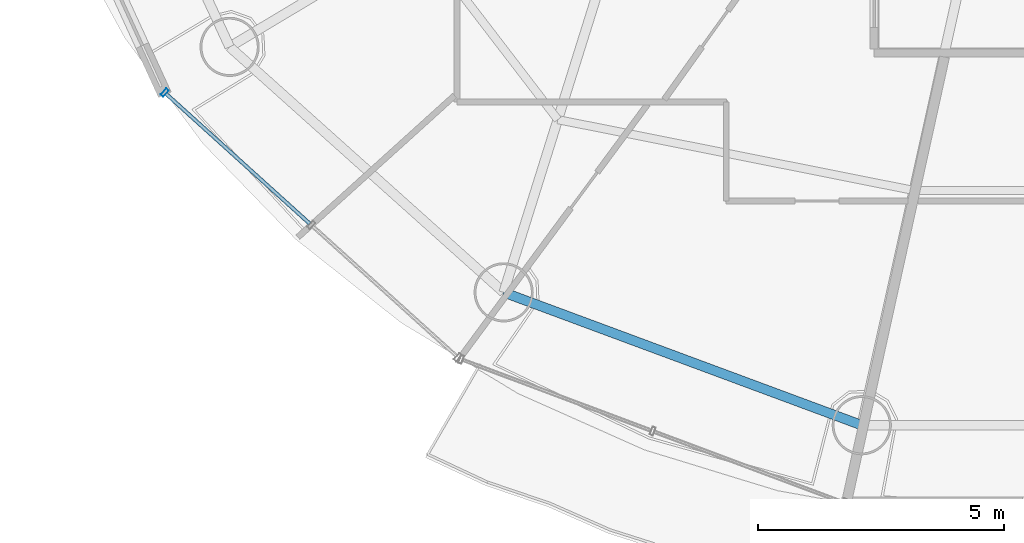
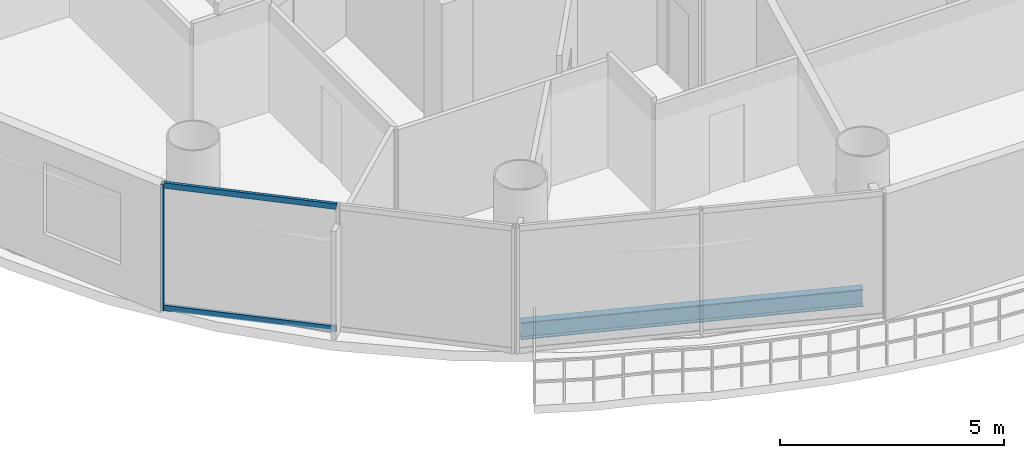
# One storey, part 3 of 26: 3 members, 1 beam, 1 element without a shape of its own.
"""IFC4 building model written with IfcOpenShell, lengths in metres."""

from ifc_helpers import new_model, si_unit, direction, frame, origin, origin_2d, place, context, subcontext, project, spatial, hollow_rectangle, i_section, extrude, source, transform, mapped, material, material_profile, profile_set, type_object, element, aggregate, save


model = new_model("IFC4")

# Units and contexts
model_context = context("Model", 3, precision=1e-05, world=origin(), true_north=direction((-0.2419218956, 0.970295726276)))
body_context = subcontext(model_context, "Body", "Model", "MODEL_VIEW")
ifc_project = project(units=[si_unit("LENGTHUNIT", "METRE"), si_unit("AREAUNIT", "SQUARE_METRE"), si_unit("VOLUMEUNIT", "CUBIC_METRE"), si_unit("PLANEANGLEUNIT", "RADIAN"), si_unit("MASSUNIT", "GRAM", prefix="KILO")], contexts=[model_context])

# Site, building, storey
site_placement = place(None, origin())
site = spatial("IfcSite", under=ifc_project, at=site_placement, CompositionType="ELEMENT")
building_placement = place(site_placement, origin())
building = spatial("IfcBuilding", under=site, at=building_placement, Name="Cobrevalo Terracotta Tower", CompositionType="ELEMENT")
storey_placement = place(building_placement, frame((0.0, 0.0, 235.60009765625)))
storey = spatial("IfcBuildingStorey", under=building, at=storey_placement, Name="L62", CompositionType="ELEMENT", Elevation=235.60009765625)

# Beam
ifc_material_1 = material(Name="Steel S355", Category="steel")
ifc_material_profile_1 = material_profile(ifc_material_1, i_section(OverallWidth=0.194091796875, OverallDepth=0.468994140625, WebThickness=0.011474609375, FlangeThickness=0.0205078125, at=origin_2d()), Name="W 460x106")
ifc_profile_set_1 = profile_set([ifc_material_profile_1], Name="Steel S355")
beam_type = type_object("IfcBeamType", Name="Structural Spandrel W 460x106 (Steel S355)", PredefinedType="SPANDREL", material=ifc_profile_set_1)
beam_placement = place(storey_placement, frame((26.80517578125, 11.7919921875, -0.49951171875), z_axis=(0.937545996665, -0.347861328892, 0.0), x_axis=(0.347861328892, 0.937545996665, 0.0)))
element("IfcBeam", 1, at=beam_placement, inside=storey, type_object=beam_type, Name="L62 perimeter ring spandrel 11", PredefinedType="SPANDREL", context=body_context, shape_type="SweptSolid", body=[
    extrude(i_section(OverallWidth=0.194091796875, OverallDepth=0.468994140625, WebThickness=0.011474609375, FlangeThickness=0.0205078125, at=origin_2d()), origin(), (0.0, 0.0, 1.0), 7.74755859375),
])

# Curtain wall, members
ifc_material_2 = material(Name="Anodized aluminium", Category="aluminium")
curtain_wall_type = type_object("IfcCurtainWallType", Name="Mid-tower high-wind unitised curtain wall CW-U2", PredefinedType="NOTDEFINED", material=ifc_material_2)
curtain_wall_placement = place(storey_placement, origin())
curtain_wall = element("IfcCurtainWall", 2, at=curtain_wall_placement, inside=storey, type_object=curtain_wall_type, Name="L62 curtain wall CW-L62-S10", PredefinedType="NOTDEFINED")
ifc_material_profile_2 = material_profile(ifc_material_2, hollow_rectangle(XDim=0.074951171875, YDim=0.14990234375, WallThickness=0.00439453125, at=origin_2d()), Name="CWT 75x150")
ifc_profile_set_2 = profile_set([ifc_material_profile_2], Name="Anodized aluminium")
member_type_1 = type_object("IfcMemberType", Name="Tower unitised aluminium transom 75x150", PredefinedType="USERDEFINED", material=ifc_profile_set_2)
shared_shape_1 = source(origin(), body_context, "Body", "SweptSolid", [
    extrude(hollow_rectangle(XDim=0.074951171875, YDim=0.14990234375, WallThickness=0.00439453125, at=origin_2d()), origin(), (0.0, 0.0, 1.0), 3.927490234375),
])
member_1_placement = place(storey_placement, frame((19.958251953125, 15.818359375, 0.0498046875), z_axis=(0.741975952623, -0.670426495396, 0.0), x_axis=(0.670426495396, 0.741975952623, 0.0)))
member_1 = element("IfcMember", 3, at=member_1_placement, type_object=member_type_1, Name="CW-L62-S10 transom B01-T1", ObjectType="TRANSOM", PredefinedType="USERDEFINED", context=body_context, shape_type="MappedRepresentation", body=[
    mapped(shared_shape_1, transform((0.0, 0.0, 0.0), scale=1.0)),
])
member_2_placement = place(storey_placement, frame((19.958251953125, 15.818359375, 3.385009765625), z_axis=(0.741975952623, -0.670426495396, 0.0), x_axis=(0.670426495396, 0.741975952623, 0.0)))
member_2 = element("IfcMember", 4, at=member_2_placement, type_object=member_type_1, Name="CW-L62-S10 transom B01-T2", ObjectType="TRANSOM", PredefinedType="USERDEFINED", context=body_context, shape_type="MappedRepresentation", body=[
    mapped(shared_shape_1, transform((0.0, 0.0, 0.0), scale=1.0)),
])
ifc_material_profile_3 = material_profile(ifc_material_2, hollow_rectangle(XDim=0.070068359375, YDim=0.169921875, WallThickness=0.00439453125, at=origin_2d()), Name="CWM 70x170")
ifc_profile_set_3 = profile_set([ifc_material_profile_3], Name="Anodized aluminium")
member_type_2 = type_object("IfcMemberType", Name="Upper tower unitised mullion 70x170", PredefinedType="MULLION", material=ifc_profile_set_3)
shared_shape_2 = source(origin(), body_context, "Body", "SweptSolid", [
    extrude(hollow_rectangle(XDim=0.070068359375, YDim=0.169921875, WallThickness=0.00439453125, at=origin_2d()), origin(), (0.0, 0.0, 1.0), 3.434814453125),
])
member_3_placement = place(storey_placement, frame((19.928466796875, 15.84521484375, 0.0), z_axis=(0.0, 0.0, 1.0), x_axis=(0.741987542015, -0.670413668935, 0.0)))
member_3 = element("IfcMember", 5, at=member_3_placement, type_object=member_type_2, Name="CW-L62-S10 vertical mullion 01", PredefinedType="MULLION", context=body_context, shape_type="MappedRepresentation", body=[
    mapped(shared_shape_2, transform((0.0, 0.0, 0.0), scale=1.0)),
])
aggregate(curtain_wall, [member_3, member_1, member_2])

save(model, "model.ifc")
